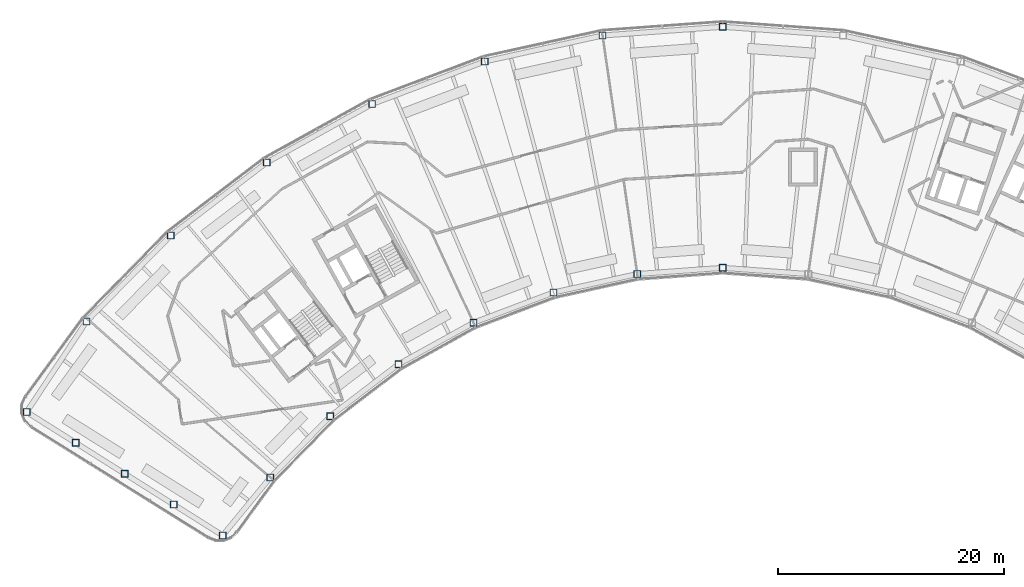
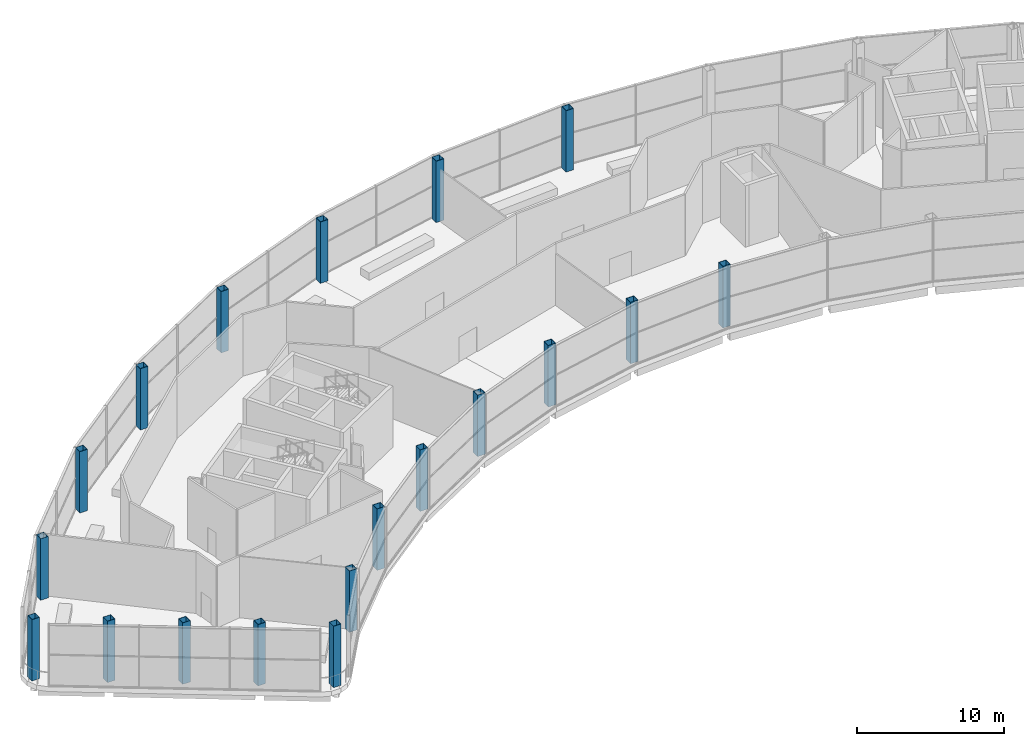
# One storey, part 1 of 43: 19 columns.
"""IFC4 building model written with IfcOpenShell, lengths in metres."""

from ifc_helpers import new_model, si_unit, direction, frame, origin, origin_2d, place, context, subcontext, project, spatial, hollow_rectangle, extrude, material, material_profile, profile_set, type_object, element, save


model = new_model("IFC4")

# Units and contexts
model_context = context("Model", 3, precision=1e-05, world=origin(), true_north=direction((0.0, 1.0)))
body_context = subcontext(model_context, "Body", "Model", "MODEL_VIEW")
ifc_project = project(units=[si_unit("LENGTHUNIT", "METRE"), si_unit("AREAUNIT", "SQUARE_METRE"), si_unit("VOLUMEUNIT", "CUBIC_METRE"), si_unit("PLANEANGLEUNIT", "RADIAN"), si_unit("MASSUNIT", "GRAM", prefix="KILO")], contexts=[model_context])

# Site, building, storey
site_placement = place(None, origin())
site = spatial("IfcSite", under=ifc_project, at=site_placement, CompositionType="ELEMENT")
building_placement = place(site_placement, origin())
building = spatial("IfcBuilding", under=site, at=building_placement, Name="Tuul Gate Civic Tower", CompositionType="ELEMENT")
storey_placement = place(building_placement, frame((0.0, 0.0, 349.10009765625)))
storey = spatial("IfcBuildingStorey", under=building, at=storey_placement, Name="Observation level 1", CompositionType="ELEMENT", Elevation=349.10009765625)

# Columns
ifc_material = material(Name="Steel S355", Category="steel")
ifc_material_profile = material_profile(ifc_material, hollow_rectangle(XDim=0.60009765625, YDim=0.60009765625, WallThickness=0.02490234375, at=origin_2d()), Name="BOX600x600x25")
ifc_profile_set = profile_set([ifc_material_profile], Name="Steel S355")
column_type = type_object("IfcColumnType", Name="STR-COLUMN-BOX600x600x25", PredefinedType="COLUMN", material=ifc_profile_set)
for number, where, z_axis, x_axis, name in (
    (1, (2.19189453125, 13.827880859375, 0.0), (0.0, 0.0, 1.0), (1.0, 0.0, 0.0), "Column"),
    (2, (-8.45703125, 13.055908203125, 0.0), (0.0, 0.0, 1.0), (1.0, 0.0, 0.0), "Column"),
    (3, (-18.885009765625, 10.758056640625, 0.0), (0.0, 0.0, 1.0), (1.0, 0.0, 0.0), "Column"),
    (4, (-28.8720703125, 6.98193359375, 0.0), (0.0, 0.0, 1.0), (1.0, 0.0, 0.0), "Column"),
    (5, (-38.2099609375, 1.804931640625, 0.0), (0.0, 0.0, 1.0), (1.0, 0.0, 0.0), "Column"),
    (6, (-46.7060546875, -4.6630859375, 0.0), (0.0, 0.0, 1.0), (1.0, 0.0, 0.0), "Column"),
    (7, (-54.179931640625, -12.2880859375, 0.0), (0.0, 0.0, 1.0), (1.0, 0.0, 0.0), "Column"),
    (8, (-59.47900390625, -20.300048828125, 0.0), (0.0, 0.0, 1.0), (1.0, 0.0, 0.0), "Column"),
    (9, (-55.135986328125, -23.034912109375, 0.0), (0.0, 0.0, 1.0), (1.0, 0.0, 0.0), "Column"),
    (10, (-50.7939453125, -25.77001953125, 0.0), (0.0, 0.0, 1.0), (1.0, 0.0, 0.0), "Column"),
    (11, (-46.450927734375, -28.50390625, 0.0), (0.0, 0.0, 1.0), (1.0, 0.0, 0.0), "Column"),
    (12, (-42.10888671875, -31.239013671875, 0.0), (0.0, 0.0, 1.0), (1.0, 0.0, 0.0), "Column"),
    (13, (-37.888916015625, -26.096923828125, 0.0), (0.0, 0.0, 1.0), (1.0, 0.0, 0.0), "Column"),
    (14, (-32.574951171875, -20.675048828125, 0.0), (0.0, 0.0, 1.0), (1.0, 0.0, 0.0), "Column"),
    (15, (-26.534912109375, -16.075927734375, 0.0), (0.0, 0.0, 1.0), (1.0, 0.0, 0.0), "Column"),
    (16, (-19.89501953125, -12.39599609375, 0.0), (0.0, 0.0, 1.0), (1.0, 0.0, 0.0), "Column"),
    (17, (-12.7939453125, -9.7099609375, 0.0), (0.0, 0.0, 1.0), (1.0, 0.0, 0.0), "Column"),
    (18, (-5.3798828125, -8.076904296875, 0.0), (0.0, 0.0, 1.0), (1.0, 0.0, 0.0), "Column"),
    (19, (2.19189453125, -7.528076171875, 0.0), (0.0, 0.0, 1.0), (1.0, 0.0, 0.0), "Column"),
):
    element("IfcColumn", number, at=place(storey_placement, frame(where, z_axis=z_axis, x_axis=x_axis)), inside=storey, type_object=column_type, Name=name, PredefinedType="COLUMN", context=body_context, shape_type="SweptSolid", body=[
        extrude(hollow_rectangle(XDim=0.60009765625, YDim=0.60009765625, WallThickness=0.02490234375, at=origin_2d()), origin(), (0.0, 0.0, 1.0), 5.099853515625),
    ])

save(model, "model.ifc")
